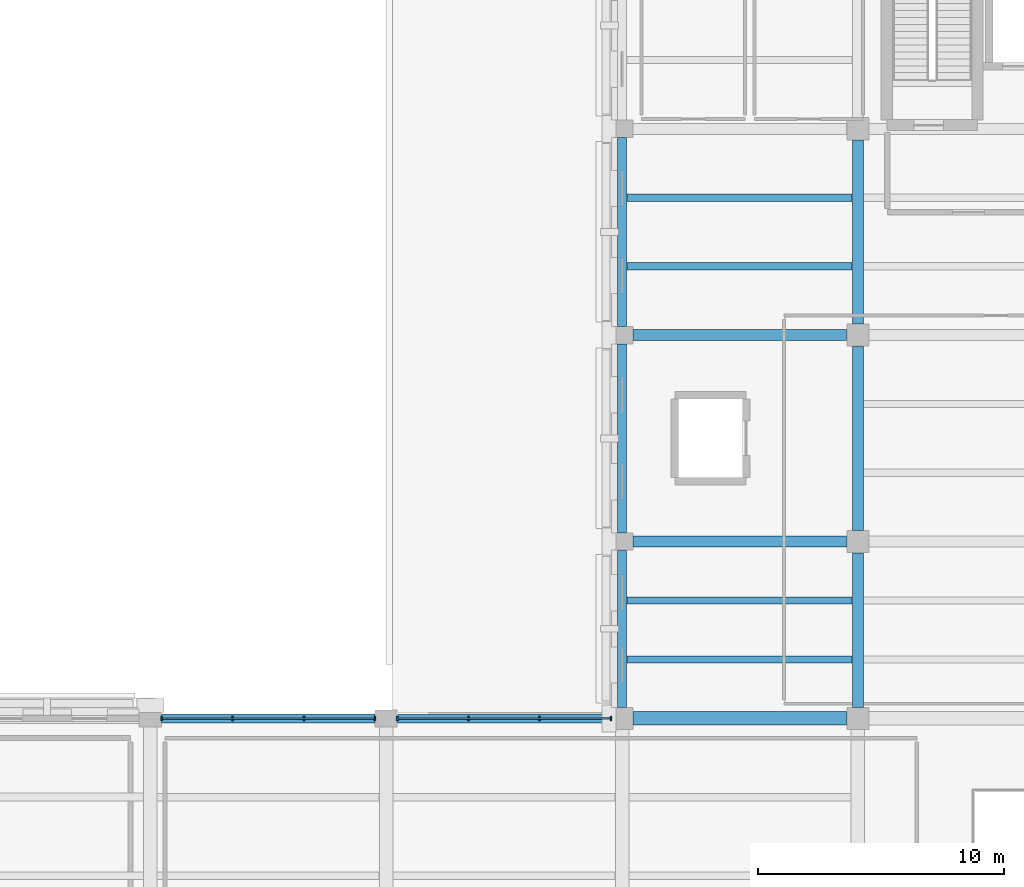
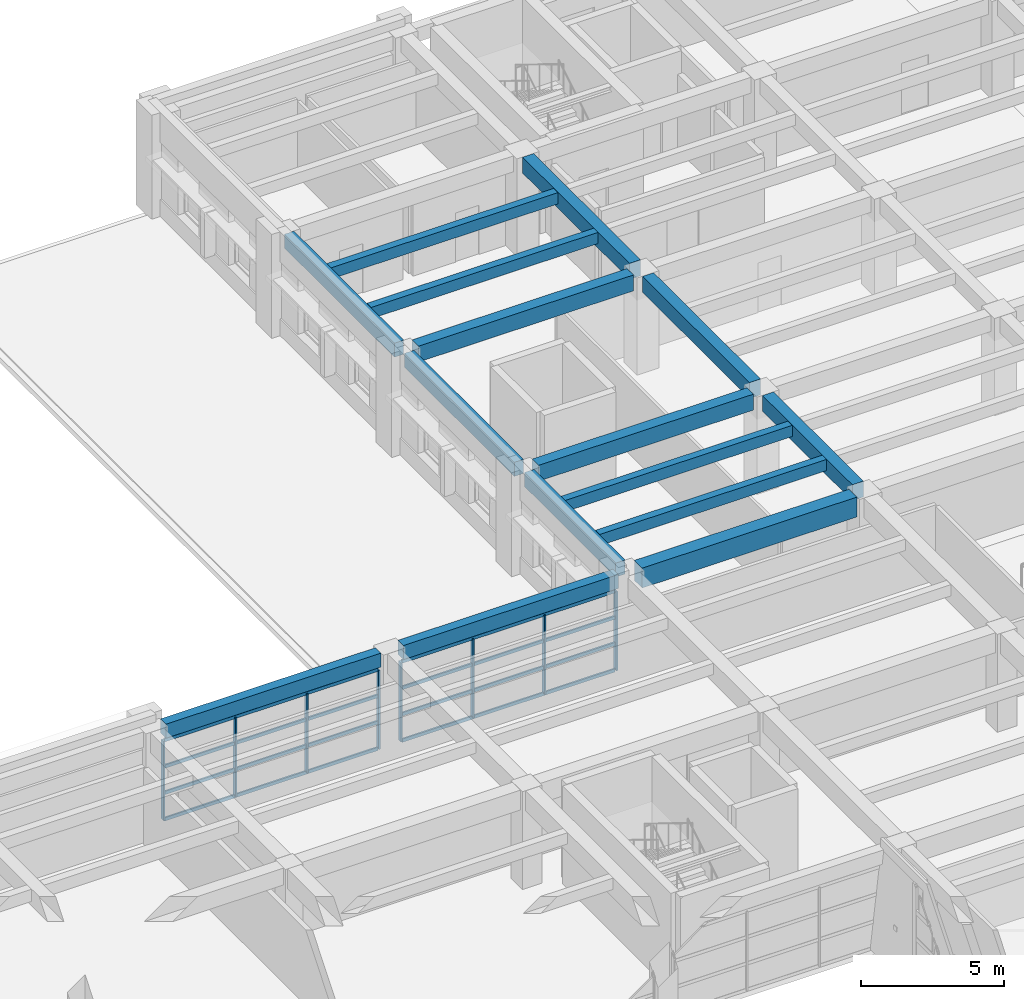
# One storey, part 16 of 49: 16 members, 15 beams, 2 elements without a shape of their own.
"""IFC4 building model written with IfcOpenShell, lengths in metres."""

from ifc_helpers import new_model, si_unit, direction, frame, origin, origin_2d, place, context, subcontext, project, spatial, rectangle, extrude, material, layer, layer_set, material_profile, profile_set, type_object, element, aggregate, save


model = new_model("IFC4")

# Units and contexts
model_context = context("Model", 3, precision=1e-05, world=origin(), true_north=direction((0.0, 1.0)))
body_context = subcontext(model_context, "Body", "Model", "MODEL_VIEW")
ifc_project = project(units=[si_unit("LENGTHUNIT", "METRE"), si_unit("AREAUNIT", "SQUARE_METRE"), si_unit("VOLUMEUNIT", "CUBIC_METRE"), si_unit("PLANEANGLEUNIT", "RADIAN"), si_unit("MASSUNIT", "GRAM", prefix="KILO")], contexts=[model_context])

# Site, building, storey
site_placement = place(None, origin())
site = spatial("IfcSite", under=ifc_project, at=site_placement, CompositionType="ELEMENT")
building_placement = place(site_placement, origin())
building = spatial("IfcBuilding", under=site, at=building_placement, Name="Bempovik Park Faculty of Sciences", CompositionType="ELEMENT")
storey_placement = place(building_placement, frame((0.0, 0.0, 5.39990234375)))
storey = spatial("IfcBuildingStorey", under=building, at=storey_placement, Name="L01", CompositionType="ELEMENT", Elevation=5.39990234375)

# Beams
ifc_material_1 = material(Name="Concrete C35/45", Category="concrete")
ifc_material_profile_1 = material_profile(ifc_material_1, rectangle(XDim=0.3798828125, YDim=0.60009765625, at=origin_2d()), Name="RC 380x600")
ifc_profile_set_1 = profile_set([ifc_material_profile_1], Name="Concrete C35/45")
beam_type_1 = type_object("IfcBeamType", Name="B-032 RC 380x600", PredefinedType="SPANDREL", material=ifc_profile_set_1)
for number, where, z_axis, x_axis, name in (
    (1, (41.256103515625, 87.0, 3.880126953125), (1.0, 0.0, 0.0), (0.0, 1.0, 0.0), "L01 Beam X (40.8-50.4, y=87.0)"),
    (2, (50.85595703125, 87.0, 3.880126953125), (1.0, 0.0, 0.0), (0.0, 1.0, 0.0), "L01 Beam X (50.4-60.0, y=87.0)"),
):
    element("IfcBeam", number, at=place(storey_placement, frame(where, z_axis=z_axis, x_axis=x_axis)), inside=storey, type_object=beam_type_1, Name=name, PredefinedType="SPANDREL", context=body_context, shape_type="SweptSolid", body=[
        extrude(rectangle(XDim=0.3798828125, YDim=0.60009765625, at=origin_2d()), origin(), (0.0, 0.0, 1.0), 8.68798828125),
    ])
beam_1_placement = place(storey_placement, frame((60.0, 87.4560546875, 3.880126953125), z_axis=(0.0, 1.0, 0.0), x_axis=(-1.0, 0.0, 0.0)))
element("IfcBeam", 3, at=beam_1_placement, inside=storey, type_object=beam_type_1, Name="L01 Beam Y (x=60.0, 87.0-94.2)", PredefinedType="SPANDREL", context=body_context, shape_type="SweptSolid", body=[
    extrude(rectangle(XDim=0.3798828125, YDim=0.60009765625, at=origin_2d()), origin(), (0.0, 0.0, 1.0), 6.387939453125),
])
for number, where, z_axis, x_axis, name in (
    (4, (60.0, 94.555908203125, 3.880126953125), (0.0, 1.0, 0.0), (-1.0, 0.0, 0.0), "L01 Beam Y (x=60.0, 94.2-102.6)"),
    (5, (60.0, 102.9560546875, 3.880126953125), (0.0, 1.0, 0.0), (-1.0, 0.0, 0.0), "L01 Beam Y (x=60.0, 102.6-111.0)"),
):
    element("IfcBeam", number, at=place(storey_placement, frame(where, z_axis=z_axis, x_axis=x_axis)), inside=storey, type_object=beam_type_1, Name=name, PredefinedType="SPANDREL", context=body_context, shape_type="SweptSolid", body=[
        extrude(rectangle(XDim=0.3798828125, YDim=0.60009765625, at=origin_2d()), origin(), (0.0, 0.0, 1.0), 7.68798828125),
    ])
ifc_material_profile_2 = material_profile(ifc_material_1, rectangle(XDim=0.300048828125, YDim=0.47998046875, at=origin_2d()), Name="RC 300x480")
ifc_profile_set_2 = profile_set([ifc_material_profile_2], Name="Concrete C35/45")
beam_type_2 = type_object("IfcBeamType", Name="B-039 RC 300x480", PredefinedType="JOIST", material=ifc_profile_set_2)
for number, where, z_axis, x_axis, name in (
    (6, (60.196044921875, 89.39990234375, 3.940185546875), (1.0, 0.0, 0.0), (0.0, 1.0, 0.0), "L01 Secondary Joist (60.0-69.6, y=89.40)"),
    (7, (60.196044921875, 91.800048828125, 3.940185546875), (1.0, 0.0, 0.0), (0.0, 1.0, 0.0), "L01 Secondary Joist (60.0-69.6, y=91.80)"),
    (8, (60.196044921875, 105.39990234375, 3.940185546875), (1.0, 0.0, 0.0), (0.0, 1.0, 0.0), "L01 Secondary Joist (60.0-69.6, y=105.40)"),
    (9, (60.196044921875, 108.199951171875, 3.940185546875), (1.0, 0.0, 0.0), (0.0, 1.0, 0.0), "L01 Secondary Joist (60.0-69.6, y=108.20)"),
):
    element("IfcBeam", number, at=place(storey_placement, frame(where, z_axis=z_axis, x_axis=x_axis)), inside=storey, type_object=beam_type_2, Name=name, PredefinedType="JOIST", context=body_context, shape_type="SweptSolid", body=[
        extrude(rectangle(XDim=0.300048828125, YDim=0.47998046875, at=origin_2d()), origin(), (0.0, 0.0, 1.0), 9.1728515625),
    ])
ifc_material_2 = material(Name="Concrete C40/50", Category="concrete")
ifc_material_profile_3 = material_profile(ifc_material_2, rectangle(XDim=0.550048828125, YDim=0.85009765625, at=origin_2d()), Name="RC 550x850")
ifc_profile_set_3 = profile_set([ifc_material_profile_3], Name="Concrete C40/50")
beam_type_3 = type_object("IfcBeamType", Name="B-080 RC 550x850", PredefinedType="BEAM", material=ifc_profile_set_3)
beam_2_placement = place(storey_placement, frame((60.4560546875, 87.0, 3.755126953125), z_axis=(1.0, 0.0, 0.0), x_axis=(0.0, 1.0, 0.0)))
element("IfcBeam", 10, at=beam_2_placement, inside=storey, type_object=beam_type_3, Name="L01 Beam X (60.0-69.6, y=87.0)", PredefinedType="BEAM", context=body_context, shape_type="SweptSolid", body=[
    extrude(rectangle(XDim=0.550048828125, YDim=0.85009765625, at=origin_2d()), origin(), (0.0, 0.0, 1.0), 8.68798828125),
])
ifc_material_profile_4 = material_profile(ifc_material_1, rectangle(XDim=0.449951171875, YDim=0.679931640625, at=origin_2d()), Name="RC 450x680")
ifc_profile_set_4 = profile_set([ifc_material_profile_4], Name="Concrete C35/45")
beam_type_4 = type_object("IfcBeamType", Name="B-113 RC 450x680", PredefinedType="BEAM", material=ifc_profile_set_4)
for number, where, z_axis, x_axis, name in (
    (11, (60.4560546875, 94.199951171875, 3.840087890625), (1.0, 0.0, 0.0), (0.0, 1.0, 0.0), "L01 Beam X (60.0-69.6, y=94.2)"),
    (12, (60.4560546875, 102.60009765625, 3.840087890625), (1.0, 0.0, 0.0), (0.0, 1.0, 0.0), "L01 Beam X (60.0-69.6, y=102.6)"),
):
    element("IfcBeam", number, at=place(storey_placement, frame(where, z_axis=z_axis, x_axis=x_axis)), inside=storey, type_object=beam_type_4, Name=name, PredefinedType="BEAM", context=body_context, shape_type="SweptSolid", body=[
        extrude(rectangle(XDim=0.449951171875, YDim=0.679931640625, at=origin_2d()), origin(), (0.0, 0.0, 1.0), 8.68798828125),
    ])
beam_3_placement = place(storey_placement, frame((69.60009765625, 87.4560546875, 3.840087890625), z_axis=(0.0, 1.0, 0.0), x_axis=(-1.0, 0.0, 0.0)))
element("IfcBeam", 13, at=beam_3_placement, inside=storey, type_object=beam_type_4, Name="L01 Beam Y (x=69.6, 87.0-94.2)", PredefinedType="BEAM", context=body_context, shape_type="SweptSolid", body=[
    extrude(rectangle(XDim=0.449951171875, YDim=0.679931640625, at=origin_2d()), origin(), (0.0, 0.0, 1.0), 6.287841796875),
])
for number, where, z_axis, x_axis, name in (
    (14, (69.60009765625, 94.656005859375, 3.840087890625), (0.0, 1.0, 0.0), (-1.0, 0.0, 0.0), "L01 Beam Y (x=69.6, 94.2-102.6)"),
    (15, (69.60009765625, 103.055908203125, 3.840087890625), (0.0, 1.0, 0.0), (-1.0, 0.0, 0.0), "L01 Beam Y (x=69.6, 102.6-111.0)"),
):
    element("IfcBeam", number, at=place(storey_placement, frame(where, z_axis=z_axis, x_axis=x_axis)), inside=storey, type_object=beam_type_4, Name=name, PredefinedType="BEAM", context=body_context, shape_type="SweptSolid", body=[
        extrude(rectangle(XDim=0.449951171875, YDim=0.679931640625, at=origin_2d()), origin(), (0.0, 0.0, 1.0), 7.488037109375),
    ])

# Curtain wall, members
ifc_material_3 = material(Name="Tempered laminated low-E glass", Category="glass")
ifc_layer = layer(ifc_material_3, 0.159912109375)
ifc_layer_set = layer_set([ifc_layer], Name="Tempered laminated low-E glass")
curtain_wall_type = type_object("IfcCurtainWallType", Name="CW-52 Curtain 6600x4100", PredefinedType="USERDEFINED", material=ifc_layer_set)
curtain_wall_1_placement = place(storey_placement, origin())
curtain_wall_1 = element("IfcCurtainWall", 16, at=curtain_wall_1_placement, inside=storey, type_object=curtain_wall_type, Name="L01 Unitised Curtain Wall (87.0,40.8)", ObjectType="UNITISED CURTAIN WALL", PredefinedType="USERDEFINED")
ifc_material_4 = material(Name="Anodised architectural bronze", Category="aluminium")
ifc_material_profile_5 = material_profile(ifc_material_4, rectangle(XDim=0.06494140625, YDim=0.169921875, at=origin_2d()), Name="ALU-M 65x170")
ifc_profile_set_5 = profile_set([ifc_material_profile_5], Name="Anodised architectural bronze")
member_type_1 = type_object("IfcMemberType", Name="ML-15 ALU-M 65x170", PredefinedType="MULLION", material=ifc_profile_set_5)
member_1_placement = place(storey_placement, frame((41.251953125, 87.0, 0.0), z_axis=(0.0, 0.0, 1.0), x_axis=(1.0, 0.0, 0.0)))
member_1 = element("IfcMember", 17, at=member_1_placement, type_object=member_type_1, Name="CW-BAY-L01-870-408 Mullion 0", PredefinedType="MULLION", context=body_context, shape_type="SweptSolid", body=[
    extrude(rectangle(XDim=0.06494140625, YDim=0.169921875, at=origin_2d()), origin(), (0.0, 0.0, 1.0), 3.380126953125),
])
member_2_placement = place(storey_placement, frame((44.150634765625, 87.0, 0.0), z_axis=(0.0, 0.0, 1.0), x_axis=(1.0, 0.0, 0.0)))
member_2 = element("IfcMember", 18, at=member_2_placement, type_object=member_type_1, Name="CW-BAY-L01-870-408 Mullion 1", PredefinedType="MULLION", context=body_context, shape_type="SweptSolid", body=[
    extrude(rectangle(XDim=0.06494140625, YDim=0.169921875, at=origin_2d()), origin(), (0.0, 0.0, 1.0), 3.380126953125),
])
member_3_placement = place(storey_placement, frame((47.04931640625, 87.0, 0.0), z_axis=(0.0, 0.0, 1.0), x_axis=(1.0, 0.0, 0.0)))
member_3 = element("IfcMember", 19, at=member_3_placement, type_object=member_type_1, Name="CW-BAY-L01-870-408 Mullion 2", PredefinedType="MULLION", context=body_context, shape_type="SweptSolid", body=[
    extrude(rectangle(XDim=0.06494140625, YDim=0.169921875, at=origin_2d()), origin(), (0.0, 0.0, 1.0), 3.380126953125),
])
member_4_placement = place(storey_placement, frame((49.947998046875, 87.0, 0.0), z_axis=(0.0, 0.0, 1.0), x_axis=(1.0, 0.0, 0.0)))
member_4 = element("IfcMember", 20, at=member_4_placement, type_object=member_type_1, Name="CW-BAY-L01-870-408 Mullion 3", PredefinedType="MULLION", context=body_context, shape_type="SweptSolid", body=[
    extrude(rectangle(XDim=0.06494140625, YDim=0.169921875, at=origin_2d()), origin(), (0.0, 0.0, 1.0), 3.380126953125),
])

curtain_wall_2_placement = place(storey_placement, origin())
curtain_wall_2 = element("IfcCurtainWall", 21, at=curtain_wall_2_placement, inside=storey, type_object=curtain_wall_type, Name="L01 Unitised Curtain Wall (87.0,50.4)", ObjectType="UNITISED CURTAIN WALL", PredefinedType="USERDEFINED")
member_5_placement = place(storey_placement, frame((50.85205078125, 87.0, 0.0), z_axis=(0.0, 0.0, 1.0), x_axis=(1.0, 0.0, 0.0)))
member_5 = element("IfcMember", 22, at=member_5_placement, type_object=member_type_1, Name="CW-BAY-L01-870-504 Mullion 0", PredefinedType="MULLION", context=body_context, shape_type="SweptSolid", body=[
    extrude(rectangle(XDim=0.06494140625, YDim=0.169921875, at=origin_2d()), origin(), (0.0, 0.0, 1.0), 3.380126953125),
])
member_6_placement = place(storey_placement, frame((53.750732421875, 87.0, 0.0), z_axis=(0.0, 0.0, 1.0), x_axis=(1.0, 0.0, 0.0)))
member_6 = element("IfcMember", 23, at=member_6_placement, type_object=member_type_1, Name="CW-BAY-L01-870-504 Mullion 1", PredefinedType="MULLION", context=body_context, shape_type="SweptSolid", body=[
    extrude(rectangle(XDim=0.06494140625, YDim=0.169921875, at=origin_2d()), origin(), (0.0, 0.0, 1.0), 3.380126953125),
])
member_7_placement = place(storey_placement, frame((56.6494140625, 87.0, 0.0), z_axis=(0.0, 0.0, 1.0), x_axis=(1.0, 0.0, 0.0)))
member_7 = element("IfcMember", 24, at=member_7_placement, type_object=member_type_1, Name="CW-BAY-L01-870-504 Mullion 2", PredefinedType="MULLION", context=body_context, shape_type="SweptSolid", body=[
    extrude(rectangle(XDim=0.06494140625, YDim=0.169921875, at=origin_2d()), origin(), (0.0, 0.0, 1.0), 3.380126953125),
])
member_8_placement = place(storey_placement, frame((59.548095703125, 87.0, 0.0), z_axis=(0.0, 0.0, 1.0), x_axis=(1.0, 0.0, 0.0)))
member_8 = element("IfcMember", 25, at=member_8_placement, type_object=member_type_1, Name="CW-BAY-L01-870-504 Mullion 3", PredefinedType="MULLION", context=body_context, shape_type="SweptSolid", body=[
    extrude(rectangle(XDim=0.06494140625, YDim=0.169921875, at=origin_2d()), origin(), (0.0, 0.0, 1.0), 3.380126953125),
])

# Member
ifc_material_profile_6 = material_profile(ifc_material_4, rectangle(XDim=0.06494140625, YDim=0.139892578125, at=origin_2d()), Name="ALU-T 65x140")
ifc_profile_set_6 = profile_set([ifc_material_profile_6], Name="Anodised architectural bronze")
member_type_2 = type_object("IfcMemberType", Name="TR-17 ALU-T 65x140", PredefinedType="USERDEFINED", material=ifc_profile_set_6)
member_9_placement = place(storey_placement, frame((41.2919921875, 87.0, 0.0), z_axis=(1.0, 0.0, 0.0), x_axis=(0.0, 1.0, 0.0)))
member_9 = element("IfcMember", 26, at=member_9_placement, type_object=member_type_2, Name="CW-BAY-L01-870-408 Transom 0", ObjectType="TRANSOM", PredefinedType="USERDEFINED", context=body_context, shape_type="SweptSolid", body=[
    extrude(rectangle(XDim=0.06494140625, YDim=0.139892578125, at=origin_2d()), origin(), (0.0, 0.0, 1.0), 8.615966796875),
])

member_10_placement = place(storey_placement, frame((41.2919921875, 87.0, 1.126708984375), z_axis=(1.0, 0.0, 0.0), x_axis=(0.0, 1.0, 0.0)))
member_10 = element("IfcMember", 27, at=member_10_placement, type_object=member_type_2, Name="CW-BAY-L01-870-408 Transom 1", ObjectType="TRANSOM", PredefinedType="USERDEFINED", context=body_context, shape_type="SweptSolid", body=[
    extrude(rectangle(XDim=0.06494140625, YDim=0.139892578125, at=origin_2d()), origin(), (0.0, 0.0, 1.0), 8.615966796875),
])

member_11_placement = place(storey_placement, frame((41.2919921875, 87.0, 2.25341796875), z_axis=(1.0, 0.0, 0.0), x_axis=(0.0, 1.0, 0.0)))
member_11 = element("IfcMember", 28, at=member_11_placement, type_object=member_type_2, Name="CW-BAY-L01-870-408 Transom 2", ObjectType="TRANSOM", PredefinedType="USERDEFINED", context=body_context, shape_type="SweptSolid", body=[
    extrude(rectangle(XDim=0.06494140625, YDim=0.139892578125, at=origin_2d()), origin(), (0.0, 0.0, 1.0), 8.615966796875),
])

member_12_placement = place(storey_placement, frame((41.2919921875, 87.0, 3.380126953125), z_axis=(1.0, 0.0, 0.0), x_axis=(0.0, 1.0, 0.0)))
member_12 = element("IfcMember", 29, at=member_12_placement, type_object=member_type_2, Name="CW-BAY-L01-870-408 Transom 3", ObjectType="TRANSOM", PredefinedType="USERDEFINED", context=body_context, shape_type="SweptSolid", body=[
    extrude(rectangle(XDim=0.06494140625, YDim=0.139892578125, at=origin_2d()), origin(), (0.0, 0.0, 1.0), 8.615966796875),
])

aggregate(curtain_wall_1, [member_1, member_2, member_3, member_4, member_9, member_10, member_11, member_12])

member_13_placement = place(storey_placement, frame((50.89208984375, 87.0, 0.0), z_axis=(1.0, 0.0, 0.0), x_axis=(0.0, 1.0, 0.0)))
member_13 = element("IfcMember", 30, at=member_13_placement, type_object=member_type_2, Name="CW-BAY-L01-870-504 Transom 0", ObjectType="TRANSOM", PredefinedType="USERDEFINED", context=body_context, shape_type="SweptSolid", body=[
    extrude(rectangle(XDim=0.06494140625, YDim=0.139892578125, at=origin_2d()), origin(), (0.0, 0.0, 1.0), 8.615966796875),
])

member_14_placement = place(storey_placement, frame((50.89208984375, 87.0, 1.126708984375), z_axis=(1.0, 0.0, 0.0), x_axis=(0.0, 1.0, 0.0)))
member_14 = element("IfcMember", 31, at=member_14_placement, type_object=member_type_2, Name="CW-BAY-L01-870-504 Transom 1", ObjectType="TRANSOM", PredefinedType="USERDEFINED", context=body_context, shape_type="SweptSolid", body=[
    extrude(rectangle(XDim=0.06494140625, YDim=0.139892578125, at=origin_2d()), origin(), (0.0, 0.0, 1.0), 8.615966796875),
])

member_15_placement = place(storey_placement, frame((50.89208984375, 87.0, 2.25341796875), z_axis=(1.0, 0.0, 0.0), x_axis=(0.0, 1.0, 0.0)))
member_15 = element("IfcMember", 32, at=member_15_placement, type_object=member_type_2, Name="CW-BAY-L01-870-504 Transom 2", ObjectType="TRANSOM", PredefinedType="USERDEFINED", context=body_context, shape_type="SweptSolid", body=[
    extrude(rectangle(XDim=0.06494140625, YDim=0.139892578125, at=origin_2d()), origin(), (0.0, 0.0, 1.0), 8.615966796875),
])

member_16_placement = place(storey_placement, frame((50.89208984375, 87.0, 3.380126953125), z_axis=(1.0, 0.0, 0.0), x_axis=(0.0, 1.0, 0.0)))
member_16 = element("IfcMember", 33, at=member_16_placement, type_object=member_type_2, Name="CW-BAY-L01-870-504 Transom 3", ObjectType="TRANSOM", PredefinedType="USERDEFINED", context=body_context, shape_type="SweptSolid", body=[
    extrude(rectangle(XDim=0.06494140625, YDim=0.139892578125, at=origin_2d()), origin(), (0.0, 0.0, 1.0), 8.615966796875),
])

aggregate(curtain_wall_2, [member_5, member_6, member_7, member_8, member_13, member_14, member_15, member_16])

save(model, "model.ifc")
